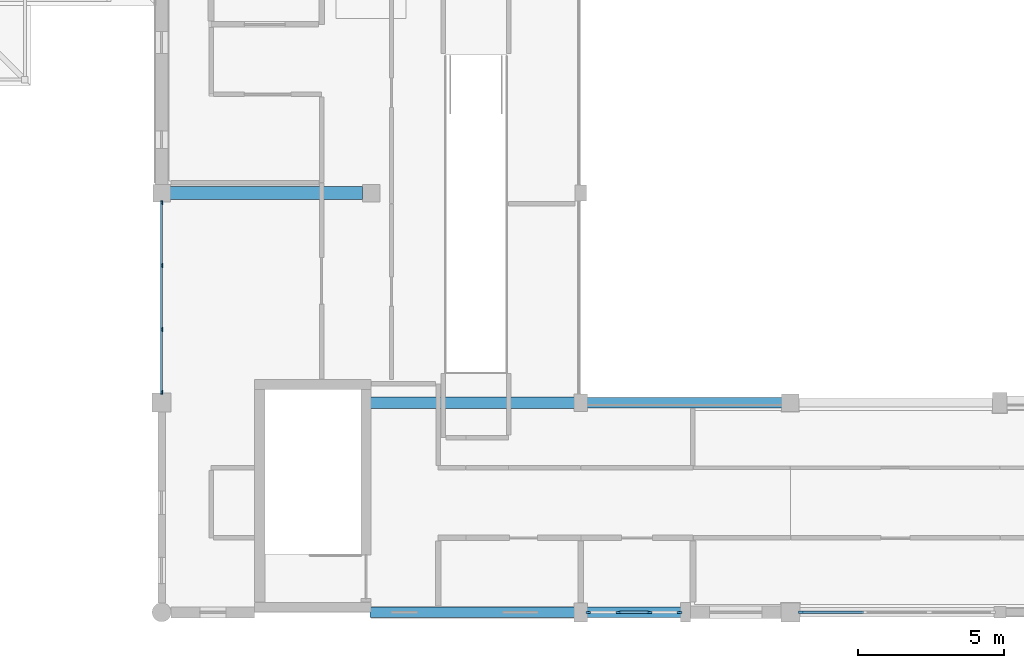
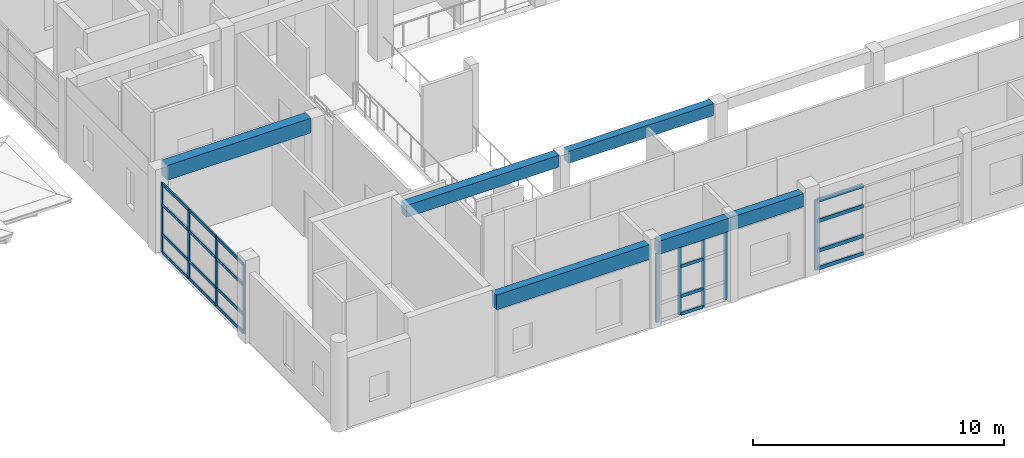
# One storey, part 6 of 110: 29 members, 5 beams, 3 elements without a shape of their own.
"""IFC4 building model written with IfcOpenShell, lengths in metres."""

from ifc_helpers import new_model, si_unit, direction, frame, origin, origin_2d, place, context, subcontext, project, spatial, rectangle, extrude, material, material_profile, profile_set, type_object, element, aggregate, save


model = new_model("IFC4")

# Units and contexts
model_context = context("Model", 3, precision=1e-05, world=origin(), true_north=direction((0.0, 1.0)))
body_context = subcontext(model_context, "Body", "Model", "MODEL_VIEW")
ifc_project = project(units=[si_unit("LENGTHUNIT", "METRE"), si_unit("AREAUNIT", "SQUARE_METRE"), si_unit("VOLUMEUNIT", "CUBIC_METRE"), si_unit("PLANEANGLEUNIT", "RADIAN"), si_unit("MASSUNIT", "GRAM", prefix="KILO")], contexts=[model_context])

# Site, building, storey
site_placement = place(None, origin())
site = spatial("IfcSite", under=ifc_project, at=site_placement, CompositionType="ELEMENT")
building_placement = place(site_placement, origin())
building = spatial("IfcBuilding", under=site, at=building_placement, Name="Steenspoor Specialist Clinic", CompositionType="ELEMENT")
storey_placement = place(building_placement, frame((0.0, 0.0, 4.800048828125)))
storey = spatial("IfcBuildingStorey", under=building, at=storey_placement, Name="L01", CompositionType="ELEMENT", Elevation=4.800048828125)

# Beams
ifc_material_1 = material(Name="Concrete C35/45", Category="concrete")
ifc_material_profile_1 = material_profile(ifc_material_1, rectangle(XDim=0.35009765625, YDim=0.580078125, at=origin_2d()), Name="RC-BM-350X580")
ifc_profile_set_1 = profile_set([ifc_material_profile_1], Name="Concrete C35/45")
beam_type_1 = type_object("IfcBeamType", Name="BM-RC-350X580", PredefinedType="BEAM", material=ifc_profile_set_1)
beam_1_placement = place(storey_placement, frame((59.820068359375, 20.25, 3.744873046875), z_axis=(1.0, 0.0, 0.0), x_axis=(0.0, 1.0, 0.0)))
element("IfcBeam", 1, at=beam_1_placement, inside=storey, type_object=beam_type_1, Name="BM-V1-L01-X0124", PredefinedType="BEAM", context=body_context, shape_type="SweptSolid", body=[
    extrude(rectangle(XDim=0.35009765625, YDim=0.580078125, at=origin_2d()), origin(), (0.0, 0.0, 1.0), 6.684814453125),
])
ifc_material_profile_2 = material_profile(ifc_material_1, rectangle(XDim=0.39990234375, YDim=0.580078125, at=origin_2d()), Name="RC-BM-400X580")
ifc_profile_set_2 = profile_set([ifc_material_profile_2], Name="Concrete C35/45")
beam_type_2 = type_object("IfcBeamType", Name="BM-RC-400X580", PredefinedType="BEAM", material=ifc_profile_set_2)
beam_2_placement = place(storey_placement, frame((52.35498046875, 20.25, 3.744873046875), z_axis=(1.0, 0.0, 0.0), x_axis=(0.0, 1.0, 0.0)))
element("IfcBeam", 2, at=beam_2_placement, inside=storey, type_object=beam_type_2, Name="BM-V1-L01-X0123", PredefinedType="BEAM", context=body_context, shape_type="SweptSolid", body=[
    extrude(rectangle(XDim=0.39990234375, YDim=0.580078125, at=origin_2d()), origin(), (0.0, 0.0, 1.0), 7.02490234375),
])
ifc_material_profile_3 = material_profile(ifc_material_1, rectangle(XDim=0.449951171875, YDim=0.719970703125, at=origin_2d()), Name="RC-BM-450X720")
ifc_profile_set_3 = profile_set([ifc_material_profile_3], Name="Concrete C35/45")
beam_type_3 = type_object("IfcBeamType", Name="BM-RC-450X720", PredefinedType="BEAM", material=ifc_profile_set_3)
beam_3_placement = place(storey_placement, frame((45.4951171875, 27.449951171875, 3.675048828125), z_axis=(1.0, 0.0, 0.0), x_axis=(0.0, 1.0, 0.0)))
element("IfcBeam", 3, at=beam_3_placement, inside=storey, type_object=beam_type_3, Name="BM-V1-L01-X0131", PredefinedType="BEAM", context=body_context, shape_type="SweptSolid", body=[
    extrude(rectangle(XDim=0.449951171875, YDim=0.719970703125, at=origin_2d()), origin(), (0.0, 0.0, 1.0), 6.60986328125),
])

# Curtain wall, members
ifc_material_2 = material(Name="Thermally broken aluminium and low-emissivity glass", Category="aluminium")
curtain_wall_type_1 = type_object("IfcCurtainWallType", Name="CW-WLK-520X340", PredefinedType="USERDEFINED", material=ifc_material_2)
curtain_wall_1_placement = place(storey_placement, origin())
curtain_wall_1 = element("IfcCurtainWall", 4, at=curtain_wall_1_placement, inside=storey, type_object=curtain_wall_type_1, Name="Unitised Curtain Wall CW-V1-L01-021", ObjectType="UNITISED GLAZING", PredefinedType="USERDEFINED")
ifc_material_3 = material(Name="Thermally broken aluminium 6063-T6", Category="aluminium")
ifc_material_profile_4 = material_profile(ifc_material_3, rectangle(XDim=0.06494140625, YDim=0.14990234375, at=origin_2d()), Name="CWM-65X150")
ifc_profile_set_4 = profile_set([ifc_material_profile_4], Name="Thermally broken aluminium 6063-T6")
member_type_1 = type_object("IfcMemberType", Name="CW-MULL-65X150", PredefinedType="MULLION", material=ifc_profile_set_4)
member_1_placement = place(storey_placement, frame((45.199951171875, 20.607421875, 0.0), z_axis=(0.0, 0.0, 1.0), x_axis=(-1.0, 0.0, 0.0)))
member_1 = element("IfcMember", 5, at=member_1_placement, type_object=member_type_1, Name="CW-21 mullion 1", PredefinedType="MULLION", context=body_context, shape_type="SweptSolid", body=[
    extrude(rectangle(XDim=0.06494140625, YDim=0.14990234375, at=origin_2d()), origin(), (0.0, 0.0, 1.0), 3.3798828125),
])
member_2_placement = place(storey_placement, frame((45.199951171875, 22.7666015625, 0.0), z_axis=(0.0, 0.0, 1.0), x_axis=(-1.0, 0.0, 0.0)))
member_2 = element("IfcMember", 6, at=member_2_placement, type_object=member_type_1, Name="CW-21 mullion 2", PredefinedType="MULLION", context=body_context, shape_type="SweptSolid", body=[
    extrude(rectangle(XDim=0.06494140625, YDim=0.14990234375, at=origin_2d()), origin(), (0.0, 0.0, 1.0), 3.3798828125),
])
member_3_placement = place(storey_placement, frame((45.199951171875, 24.958251953125, 0.0), z_axis=(0.0, 0.0, 1.0), x_axis=(-1.0, 0.0, 0.0)))
member_3 = element("IfcMember", 7, at=member_3_placement, type_object=member_type_1, Name="CW-21 mullion 3", PredefinedType="MULLION", context=body_context, shape_type="SweptSolid", body=[
    extrude(rectangle(XDim=0.06494140625, YDim=0.14990234375, at=origin_2d()), origin(), (0.0, 0.0, 1.0), 3.3798828125),
])
member_4_placement = place(storey_placement, frame((45.199951171875, 27.117431640625, 0.0), z_axis=(0.0, 0.0, 1.0), x_axis=(-1.0, 0.0, 0.0)))
member_4 = element("IfcMember", 8, at=member_4_placement, type_object=member_type_1, Name="CW-21 mullion 4", PredefinedType="MULLION", context=body_context, shape_type="SweptSolid", body=[
    extrude(rectangle(XDim=0.06494140625, YDim=0.14990234375, at=origin_2d()), origin(), (0.0, 0.0, 1.0), 3.3798828125),
])

curtain_wall_type_2 = type_object("IfcCurtainWallType", Name="CW-WLK-640X340", PredefinedType="USERDEFINED", material=ifc_material_2)
curtain_wall_2_placement = place(storey_placement, origin())
curtain_wall_2 = element("IfcCurtainWall", 9, at=curtain_wall_2_placement, inside=storey, type_object=curtain_wall_type_2, Name="Unitised Curtain Wall CW-V1-L01-020", ObjectType="UNITISED GLAZING", PredefinedType="USERDEFINED")
ifc_material_profile_5 = material_profile(ifc_material_3, rectangle(XDim=0.070068359375, YDim=0.1650390625, at=origin_2d()), Name="CWM-70X165")
ifc_profile_set_5 = profile_set([ifc_material_profile_5], Name="Thermally broken aluminium 6063-T6")
member_type_2 = type_object("IfcMemberType", Name="CW-MULL-70X165", PredefinedType="MULLION", material=ifc_profile_set_5)
member_5_placement = place(storey_placement, frame((62.9951171875, 13.050048828125, 0.0), z_axis=(0.0, 0.0, 1.0), x_axis=(0.0, -1.0, 0.0)))
member_5 = element("IfcMember", 10, at=member_5_placement, type_object=member_type_2, Name="CW-20 mullion 1", PredefinedType="MULLION", context=body_context, shape_type="SweptSolid", body=[
    extrude(rectangle(XDim=0.070068359375, YDim=0.1650390625, at=origin_2d()), origin(), (0.0, 0.0, 1.0), 3.3798828125),
])
member_6_placement = place(storey_placement, frame((61.961669921875, 13.050048828125, 0.0), z_axis=(0.0, 0.0, 1.0), x_axis=(0.0, -1.0, 0.0)))
member_6 = element("IfcMember", 11, at=member_6_placement, type_object=member_type_2, Name="CW-20 mullion 2", PredefinedType="MULLION", context=body_context, shape_type="SweptSolid", body=[
    extrude(rectangle(XDim=0.070068359375, YDim=0.1650390625, at=origin_2d()), origin(), (0.0, 0.0, 1.0), 3.3798828125),
])
member_7_placement = place(storey_placement, frame((60.893310546875, 13.050048828125, 0.0), z_axis=(0.0, 0.0, 1.0), x_axis=(0.0, -1.0, 0.0)))
member_7 = element("IfcMember", 12, at=member_7_placement, type_object=member_type_2, Name="CW-20 mullion 3", PredefinedType="MULLION", context=body_context, shape_type="SweptSolid", body=[
    extrude(rectangle(XDim=0.070068359375, YDim=0.1650390625, at=origin_2d()), origin(), (0.0, 0.0, 1.0), 3.3798828125),
])
member_8_placement = place(storey_placement, frame((59.860107421875, 13.050048828125, 0.0), z_axis=(0.0, 0.0, 1.0), x_axis=(0.0, -1.0, 0.0)))
member_8 = element("IfcMember", 13, at=member_8_placement, type_object=member_type_2, Name="CW-20 mullion 4", PredefinedType="MULLION", context=body_context, shape_type="SweptSolid", body=[
    extrude(rectangle(XDim=0.070068359375, YDim=0.1650390625, at=origin_2d()), origin(), (0.0, 0.0, 1.0), 3.3798828125),
])

# Curtain wall, member
curtain_wall_type_3 = type_object("IfcCurtainWallType", Name="CW-SCR-360X320", PredefinedType="USERDEFINED", material=ifc_material_2)
curtain_wall_3_placement = place(storey_placement, origin())
curtain_wall_3 = element("IfcCurtainWall", 14, at=curtain_wall_3_placement, inside=storey, type_object=curtain_wall_type_3, Name="Unitised Curtain Wall CW-V1-L01-019", ObjectType="UNITISED GLAZING", PredefinedType="USERDEFINED")
ifc_material_profile_6 = material_profile(ifc_material_3, rectangle(XDim=0.080078125, YDim=0.179931640625, at=origin_2d()), Name="CWM-80X180")
ifc_profile_set_6 = profile_set([ifc_material_profile_6], Name="Thermally broken aluminium 6063-T6")
member_type_3 = type_object("IfcMemberType", Name="CW-MULL-80X180", PredefinedType="MULLION", material=ifc_profile_set_6)
member_9_placement = place(storey_placement, frame((67.1650390625, 13.050048828125, 0.0), z_axis=(0.0, 0.0, 1.0), x_axis=(0.0, -1.0, 0.0)))
member_9 = element("IfcMember", 15, at=member_9_placement, type_object=member_type_3, Name="CW-19 mullion 4", PredefinedType="MULLION", context=body_context, shape_type="SweptSolid", body=[
    extrude(rectangle(XDim=0.080078125, YDim=0.179931640625, at=origin_2d()), origin(), (0.0, 0.0, 1.0), 3.3798828125),
])

# Member
ifc_material_profile_7 = material_profile(ifc_material_3, rectangle(XDim=0.070068359375, YDim=0.14501953125, at=origin_2d()), Name="CWT-70X145")
ifc_profile_set_7 = profile_set([ifc_material_profile_7], Name="Thermally broken aluminium 6063-T6")
member_type_4 = type_object("IfcMemberType", Name="CW-TRAN-70X145", PredefinedType="USERDEFINED", material=ifc_profile_set_7)
member_10_placement = place(storey_placement, frame((45.199951171875, 20.639892578125, 0.034912109375), z_axis=(0.0, 1.0, 0.0), x_axis=(-1.0, 0.0, 0.0)))
member_10 = element("IfcMember", 16, at=member_10_placement, type_object=member_type_4, Name="CW-21 transom 1.1", ObjectType="TRANSOM", PredefinedType="USERDEFINED", context=body_context, shape_type="SweptSolid", body=[
    extrude(rectangle(XDim=0.070068359375, YDim=0.14501953125, at=origin_2d()), origin(), (0.0, 0.0, 1.0), 2.09423828125),
])

member_11_placement = place(storey_placement, frame((45.199951171875, 20.639892578125, 0.89990234375), z_axis=(0.0, 1.0, 0.0), x_axis=(-1.0, 0.0, 0.0)))
member_11 = element("IfcMember", 17, at=member_11_placement, type_object=member_type_4, Name="CW-21 transom 1.2", ObjectType="TRANSOM", PredefinedType="USERDEFINED", context=body_context, shape_type="SweptSolid", body=[
    extrude(rectangle(XDim=0.070068359375, YDim=0.14501953125, at=origin_2d()), origin(), (0.0, 0.0, 1.0), 2.09423828125),
])

member_12_placement = place(storey_placement, frame((45.199951171875, 20.639892578125, 2.349853515625), z_axis=(0.0, 1.0, 0.0), x_axis=(-1.0, 0.0, 0.0)))
member_12 = element("IfcMember", 18, at=member_12_placement, type_object=member_type_4, Name="CW-21 transom 1.3", ObjectType="TRANSOM", PredefinedType="USERDEFINED", context=body_context, shape_type="SweptSolid", body=[
    extrude(rectangle(XDim=0.070068359375, YDim=0.14501953125, at=origin_2d()), origin(), (0.0, 0.0, 1.0), 2.09423828125),
])

member_13_placement = place(storey_placement, frame((45.199951171875, 20.639892578125, 3.344970703125), z_axis=(0.0, 1.0, 0.0), x_axis=(-1.0, 0.0, 0.0)))
member_13 = element("IfcMember", 19, at=member_13_placement, type_object=member_type_4, Name="CW-21 transom 1.4", ObjectType="TRANSOM", PredefinedType="USERDEFINED", context=body_context, shape_type="SweptSolid", body=[
    extrude(rectangle(XDim=0.070068359375, YDim=0.14501953125, at=origin_2d()), origin(), (0.0, 0.0, 1.0), 2.09423828125),
])

member_14_placement = place(storey_placement, frame((45.199951171875, 22.799072265625, 0.034912109375), z_axis=(0.0, 1.0, 0.0), x_axis=(-1.0, 0.0, 0.0)))
member_14 = element("IfcMember", 20, at=member_14_placement, type_object=member_type_4, Name="CW-21 transom 2.1", ObjectType="TRANSOM", PredefinedType="USERDEFINED", context=body_context, shape_type="SweptSolid", body=[
    extrude(rectangle(XDim=0.070068359375, YDim=0.14501953125, at=origin_2d()), origin(), (0.0, 0.0, 1.0), 2.126708984375),
])

member_15_placement = place(storey_placement, frame((45.199951171875, 22.799072265625, 0.89990234375), z_axis=(0.0, 1.0, 0.0), x_axis=(-1.0, 0.0, 0.0)))
member_15 = element("IfcMember", 21, at=member_15_placement, type_object=member_type_4, Name="CW-21 transom 2.2", ObjectType="TRANSOM", PredefinedType="USERDEFINED", context=body_context, shape_type="SweptSolid", body=[
    extrude(rectangle(XDim=0.070068359375, YDim=0.14501953125, at=origin_2d()), origin(), (0.0, 0.0, 1.0), 2.126708984375),
])

member_16_placement = place(storey_placement, frame((45.199951171875, 22.799072265625, 2.349853515625), z_axis=(0.0, 1.0, 0.0), x_axis=(-1.0, 0.0, 0.0)))
member_16 = element("IfcMember", 22, at=member_16_placement, type_object=member_type_4, Name="CW-21 transom 2.3", ObjectType="TRANSOM", PredefinedType="USERDEFINED", context=body_context, shape_type="SweptSolid", body=[
    extrude(rectangle(XDim=0.070068359375, YDim=0.14501953125, at=origin_2d()), origin(), (0.0, 0.0, 1.0), 2.126708984375),
])

member_17_placement = place(storey_placement, frame((45.199951171875, 22.799072265625, 3.344970703125), z_axis=(0.0, 1.0, 0.0), x_axis=(-1.0, 0.0, 0.0)))
member_17 = element("IfcMember", 23, at=member_17_placement, type_object=member_type_4, Name="CW-21 transom 2.4", ObjectType="TRANSOM", PredefinedType="USERDEFINED", context=body_context, shape_type="SweptSolid", body=[
    extrude(rectangle(XDim=0.070068359375, YDim=0.14501953125, at=origin_2d()), origin(), (0.0, 0.0, 1.0), 2.126708984375),
])

member_18_placement = place(storey_placement, frame((45.199951171875, 24.99072265625, 0.034912109375), z_axis=(0.0, 1.0, 0.0), x_axis=(-1.0, 0.0, 0.0)))
member_18 = element("IfcMember", 24, at=member_18_placement, type_object=member_type_4, Name="CW-21 transom 3.1", ObjectType="TRANSOM", PredefinedType="USERDEFINED", context=body_context, shape_type="SweptSolid", body=[
    extrude(rectangle(XDim=0.070068359375, YDim=0.14501953125, at=origin_2d()), origin(), (0.0, 0.0, 1.0), 2.09423828125),
])

member_19_placement = place(storey_placement, frame((45.199951171875, 24.99072265625, 0.89990234375), z_axis=(0.0, 1.0, 0.0), x_axis=(-1.0, 0.0, 0.0)))
member_19 = element("IfcMember", 25, at=member_19_placement, type_object=member_type_4, Name="CW-21 transom 3.2", ObjectType="TRANSOM", PredefinedType="USERDEFINED", context=body_context, shape_type="SweptSolid", body=[
    extrude(rectangle(XDim=0.070068359375, YDim=0.14501953125, at=origin_2d()), origin(), (0.0, 0.0, 1.0), 2.09423828125),
])

member_20_placement = place(storey_placement, frame((45.199951171875, 24.99072265625, 2.349853515625), z_axis=(0.0, 1.0, 0.0), x_axis=(-1.0, 0.0, 0.0)))
member_20 = element("IfcMember", 26, at=member_20_placement, type_object=member_type_4, Name="CW-21 transom 3.3", ObjectType="TRANSOM", PredefinedType="USERDEFINED", context=body_context, shape_type="SweptSolid", body=[
    extrude(rectangle(XDim=0.070068359375, YDim=0.14501953125, at=origin_2d()), origin(), (0.0, 0.0, 1.0), 2.09423828125),
])

member_21_placement = place(storey_placement, frame((45.199951171875, 24.99072265625, 3.344970703125), z_axis=(0.0, 1.0, 0.0), x_axis=(-1.0, 0.0, 0.0)))
member_21 = element("IfcMember", 27, at=member_21_placement, type_object=member_type_4, Name="CW-21 transom 3.4", ObjectType="TRANSOM", PredefinedType="USERDEFINED", context=body_context, shape_type="SweptSolid", body=[
    extrude(rectangle(XDim=0.070068359375, YDim=0.14501953125, at=origin_2d()), origin(), (0.0, 0.0, 1.0), 2.09423828125),
])

aggregate(curtain_wall_1, [member_1, member_2, member_3, member_4, member_10, member_11, member_12, member_13, member_14, member_15, member_16, member_17, member_18, member_19, member_20, member_21])

ifc_material_profile_8 = material_profile(ifc_material_3, rectangle(XDim=0.080078125, YDim=0.159912109375, at=origin_2d()), Name="CWT-80X160")
ifc_profile_set_8 = profile_set([ifc_material_profile_8], Name="Thermally broken aluminium 6063-T6")
member_type_5 = type_object("IfcMemberType", Name="CW-TRAN-80X160", PredefinedType="USERDEFINED", material=ifc_profile_set_8)
member_22_placement = place(storey_placement, frame((61.9267578125, 13.050048828125, 0.0400390625), z_axis=(-1.0, 0.0, 0.0), x_axis=(0.0, -1.0, 0.0)))
member_22 = element("IfcMember", 28, at=member_22_placement, type_object=member_type_5, Name="CW-20 transom 2.1", ObjectType="TRANSOM", PredefinedType="USERDEFINED", context=body_context, shape_type="SweptSolid", body=[
    extrude(rectangle(XDim=0.080078125, YDim=0.159912109375, at=origin_2d()), origin(), (0.0, 0.0, 1.0), 0.99853515625),
])

member_23_placement = place(storey_placement, frame((61.9267578125, 13.050048828125, 0.89990234375), z_axis=(-1.0, 0.0, 0.0), x_axis=(0.0, -1.0, 0.0)))
member_23 = element("IfcMember", 29, at=member_23_placement, type_object=member_type_5, Name="CW-20 transom 2.2", ObjectType="TRANSOM", PredefinedType="USERDEFINED", context=body_context, shape_type="SweptSolid", body=[
    extrude(rectangle(XDim=0.080078125, YDim=0.159912109375, at=origin_2d()), origin(), (0.0, 0.0, 1.0), 0.99853515625),
])

member_24_placement = place(storey_placement, frame((61.9267578125, 13.050048828125, 2.349853515625), z_axis=(-1.0, 0.0, 0.0), x_axis=(0.0, -1.0, 0.0)))
member_24 = element("IfcMember", 30, at=member_24_placement, type_object=member_type_5, Name="CW-20 transom 2.3", ObjectType="TRANSOM", PredefinedType="USERDEFINED", context=body_context, shape_type="SweptSolid", body=[
    extrude(rectangle(XDim=0.080078125, YDim=0.159912109375, at=origin_2d()), origin(), (0.0, 0.0, 1.0), 0.99853515625),
])

member_25_placement = place(storey_placement, frame((61.9267578125, 13.050048828125, 3.33984375), z_axis=(-1.0, 0.0, 0.0), x_axis=(0.0, -1.0, 0.0)))
member_25 = element("IfcMember", 31, at=member_25_placement, type_object=member_type_5, Name="CW-20 transom 2.4", ObjectType="TRANSOM", PredefinedType="USERDEFINED", context=body_context, shape_type="SweptSolid", body=[
    extrude(rectangle(XDim=0.080078125, YDim=0.159912109375, at=origin_2d()), origin(), (0.0, 0.0, 1.0), 0.99853515625),
])

aggregate(curtain_wall_2, [member_5, member_6, member_7, member_8, member_22, member_23, member_24, member_25])

ifc_material_profile_9 = material_profile(ifc_material_3, rectangle(XDim=0.090087890625, YDim=0.175048828125, at=origin_2d()), Name="CWT-90X175")
ifc_profile_set_9 = profile_set([ifc_material_profile_9], Name="Thermally broken aluminium 6063-T6")
member_type_6 = type_object("IfcMemberType", Name="CW-TRAN-90X175", PredefinedType="USERDEFINED", material=ifc_profile_set_9)
member_26_placement = place(storey_placement, frame((69.31005859375, 13.050048828125, 0.044921875), z_axis=(-1.0, 0.0, 0.0), x_axis=(0.0, -1.0, 0.0)))
member_26 = element("IfcMember", 32, at=member_26_placement, type_object=member_type_6, Name="CW-19 transom 3.1", ObjectType="TRANSOM", PredefinedType="USERDEFINED", context=body_context, shape_type="SweptSolid", body=[
    extrude(rectangle(XDim=0.090087890625, YDim=0.175048828125, at=origin_2d()), origin(), (0.0, 0.0, 1.0), 2.10498046875),
])

member_27_placement = place(storey_placement, frame((69.31005859375, 13.050048828125, 0.89990234375), z_axis=(-1.0, 0.0, 0.0), x_axis=(0.0, -1.0, 0.0)))
member_27 = element("IfcMember", 33, at=member_27_placement, type_object=member_type_6, Name="CW-19 transom 3.2", ObjectType="TRANSOM", PredefinedType="USERDEFINED", context=body_context, shape_type="SweptSolid", body=[
    extrude(rectangle(XDim=0.090087890625, YDim=0.175048828125, at=origin_2d()), origin(), (0.0, 0.0, 1.0), 2.10498046875),
])

member_28_placement = place(storey_placement, frame((69.31005859375, 13.050048828125, 2.349853515625), z_axis=(-1.0, 0.0, 0.0), x_axis=(0.0, -1.0, 0.0)))
member_28 = element("IfcMember", 34, at=member_28_placement, type_object=member_type_6, Name="CW-19 transom 3.3", ObjectType="TRANSOM", PredefinedType="USERDEFINED", context=body_context, shape_type="SweptSolid", body=[
    extrude(rectangle(XDim=0.090087890625, YDim=0.175048828125, at=origin_2d()), origin(), (0.0, 0.0, 1.0), 2.10498046875),
])

member_29_placement = place(storey_placement, frame((69.31005859375, 13.050048828125, 3.3349609375), z_axis=(-1.0, 0.0, 0.0), x_axis=(0.0, -1.0, 0.0)))
member_29 = element("IfcMember", 35, at=member_29_placement, type_object=member_type_6, Name="CW-19 transom 3.4", ObjectType="TRANSOM", PredefinedType="USERDEFINED", context=body_context, shape_type="SweptSolid", body=[
    extrude(rectangle(XDim=0.090087890625, YDim=0.175048828125, at=origin_2d()), origin(), (0.0, 0.0, 1.0), 2.10498046875),
])

aggregate(curtain_wall_3, [member_9, member_26, member_27, member_28, member_29])

# Beams
ifc_material_profile_10 = material_profile(ifc_material_1, rectangle(XDim=0.360107421875, YDim=0.639892578125, at=origin_2d()), Name="RC-SP-360X640")
ifc_profile_set_10 = profile_set([ifc_material_profile_10], Name="Concrete C35/45")
beam_type_4 = type_object("IfcBeamType", Name="SP-RC-360X640", PredefinedType="SPANDREL", material=ifc_profile_set_10)
beam_4_placement = place(storey_placement, frame((59.820068359375, 13.050048828125, 3.71484375), z_axis=(1.0, 0.0, 0.0), x_axis=(0.0, 1.0, 0.0)))
element("IfcBeam", 36, at=beam_4_placement, inside=storey, type_object=beam_type_4, Name="BM-V1-L01-X0116", PredefinedType="SPANDREL", context=body_context, shape_type="SweptSolid", body=[
    extrude(rectangle(XDim=0.360107421875, YDim=0.639892578125, at=origin_2d()), origin(), (0.0, 0.0, 1.0), 6.659912109375),
])
ifc_material_profile_11 = material_profile(ifc_material_1, rectangle(XDim=0.360107421875, YDim=0.719970703125, at=origin_2d()), Name="RC-SP-360X720")
ifc_profile_set_11 = profile_set([ifc_material_profile_11], Name="Concrete C35/45")
beam_type_5 = type_object("IfcBeamType", Name="SP-RC-360X720", PredefinedType="SPANDREL", material=ifc_profile_set_11)
beam_5_placement = place(storey_placement, frame((52.35498046875, 13.050048828125, 3.675048828125), z_axis=(1.0, 0.0, 0.0), x_axis=(0.0, 1.0, 0.0)))
element("IfcBeam", 37, at=beam_5_placement, inside=storey, type_object=beam_type_5, Name="BM-V1-L01-X0115", PredefinedType="SPANDREL", context=body_context, shape_type="SweptSolid", body=[
    extrude(rectangle(XDim=0.360107421875, YDim=0.719970703125, at=origin_2d()), origin(), (0.0, 0.0, 1.0), 7.02490234375),
])

save(model, "model.ifc")
